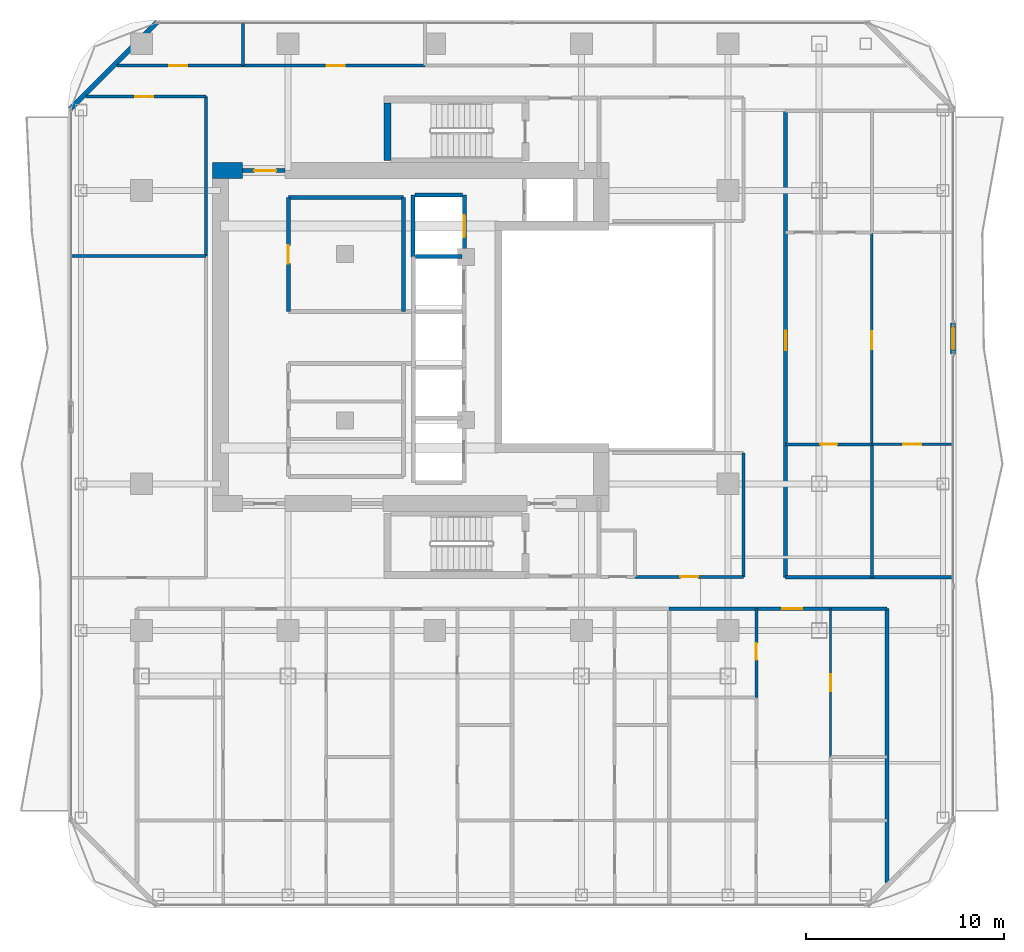
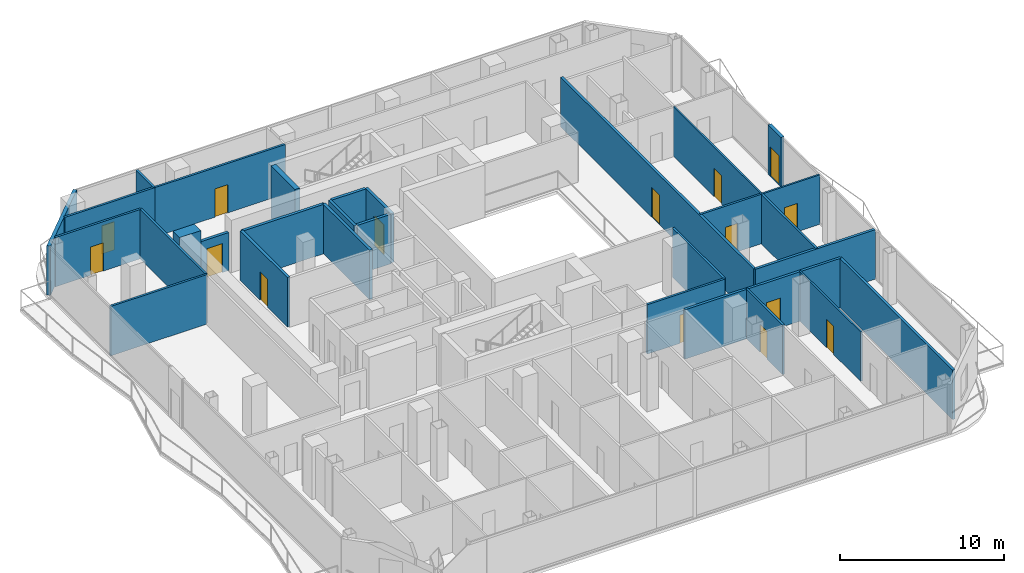
# One storey, part 22 of 26: 30 walls, 15 doors, 15 openings.
"""IFC4 building model written with IfcOpenShell, lengths in metres."""

from ifc_helpers import new_model, si_unit, direction, frame, frame_2d, origin, place, context, subcontext, project, spatial, rectangle, extrude, material, layer, layer_set, type_object, element, fill, save


model = new_model("IFC4")

# Units and contexts
model_context = context("Model", 3, precision=1e-05, world=origin(), true_north=direction((0.0, 1.0)))
body_context = subcontext(model_context, "Body", "Model", "MODEL_VIEW")
ifc_project = project(units=[si_unit("LENGTHUNIT", "METRE"), si_unit("AREAUNIT", "SQUARE_METRE"), si_unit("VOLUMEUNIT", "CUBIC_METRE"), si_unit("PLANEANGLEUNIT", "RADIAN"), si_unit("MASSUNIT", "GRAM", prefix="KILO")], contexts=[model_context])

# Site, building, storey
site_placement = place(None, origin())
site = spatial("IfcSite", under=ifc_project, at=site_placement, CompositionType="ELEMENT")
building_placement = place(site_placement, origin())
building = spatial("IfcBuilding", under=site, at=building_placement, Name="Khorvyn Point Tower", CompositionType="ELEMENT")
storey_placement = place(building_placement, frame((0.0, 0.0, 223.5)))
storey = spatial("IfcBuildingStorey", under=building, at=storey_placement, Name="L55", CompositionType="ELEMENT", Elevation=223.5)

# Wall, opening, door
ifc_material_1 = material(Name="Double acoustic gypsum on twin steel stud", Category="steel")
ifc_layer_1 = layer(ifc_material_1, 0.179931640625)
ifc_layer_set_1 = layer_set([ifc_layer_1], Name="Acoustic Double-Stud Apartment Demising Wall 180")
wall_type_1 = type_object("IfcWallType", Name="Acoustic Double-Stud Apartment Demising Wall 180", PredefinedType="PARTITIONING", material=ifc_layer_set_1)
wall_1_placement = place(storey_placement, frame((11.826904296875, -13.699951171875, 0.0), z_axis=(0.0, 0.0, 1.0), x_axis=(1.0, 0.0, 0.0)))
wall_1 = element("IfcWall", 1, at=wall_1_placement, inside=storey, type_object=wall_type_1, Name="Wall", PredefinedType="PARTITIONING", context=body_context, shape_type="SweptSolid", body=[
    extrude(rectangle(XDim=10.9931640625, YDim=0.179931640625, at=frame_2d((5.49658203125, 0.0))), origin(), (0.0, 0.0, 1.0), 3.679931640625),
])
opening_1_placement = place(wall_1_placement, frame((5.712890625, 0.0, 0.0)))
opening_1 = element("IfcOpeningElement", 2, at=opening_1_placement, cuts=wall_1, Name="Opening ID-AP60", PredefinedType="OPENING", context=body_context, shape_type="SweptSolid", body=[
    extrude(rectangle(XDim=1.0, YDim=2.199951171875, at=frame_2d((0.5, 1.10009765625))), frame((0.0, 0.099853515625, 0.0), z_axis=(0.0, -1.0, 0.0), x_axis=(1.0, 0.0, 0.0)), (0.0, 0.0, 1.0), 0.199951171875),
])
ifc_material_2 = material(Name="Engineered hardwood fire-rated leaf", Category="wood")
door_type_1 = type_object("IfcDoorType", Name="Acoustic Solid-Core Timber Apartment Entrance Door 1000x2200", OperationType="NOTDEFINED", PredefinedType="DOOR", material=ifc_material_2)
door_1_placement = place(opening_1_placement, origin())
door_1 = element("IfcDoor", 3, at=door_1_placement, inside=storey, type_object=door_type_1, Name="Door", OperationType="SINGLE_SWING_RIGHT", OverallHeight=2.199951171875, OverallWidth=1.0, PredefinedType="DOOR", context=body_context, shape_type="SweptSolid", body=[
    extrude(rectangle(XDim=1.0, YDim=2.199951171875, at=frame_2d((0.5, 1.10009765625))), frame((0.0, 0.02490234375, 0.0), z_axis=(0.0, -1.0, 0.0), x_axis=(1.0, 0.0, 0.0)), (0.0, 0.0, 1.0), 0.050048828125),
])
fill(opening_1, door_1)

wall_2_placement = place(storey_placement, frame((17.699951171875, -12.1201171875, 0.0), z_axis=(0.0, 0.0, 1.0), x_axis=(0.0, 1.0, 0.0)))
wall_2 = element("IfcWall", 4, at=wall_2_placement, inside=storey, type_object=wall_type_1, Name="Wall", PredefinedType="PARTITIONING", context=body_context, shape_type="SweptSolid", body=[
    extrude(rectangle(XDim=23.550048828125, YDim=0.179931640625, at=frame_2d((11.77490234375, 0.0))), origin(), (0.0, 0.0, 1.0), 3.679931640625),
])
opening_2_placement = place(wall_2_placement, frame((11.454345703125, 0.0, 0.0)))
opening_2 = element("IfcOpeningElement", 5, at=opening_2_placement, cuts=wall_2, Name="Opening ID-AP60", PredefinedType="OPENING", context=body_context, shape_type="SweptSolid", body=[
    extrude(rectangle(XDim=1.0, YDim=2.199951171875, at=frame_2d((0.5, 1.10009765625))), frame((0.0, 0.099853515625, 0.0), z_axis=(0.0, -1.0, 0.0), x_axis=(1.0, 0.0, 0.0)), (0.0, 0.0, 1.0), 0.199951171875),
])
door_2_placement = place(opening_2_placement, origin())
door_2 = element("IfcDoor", 6, at=door_2_placement, inside=storey, type_object=door_type_1, Name="Door", OperationType="SINGLE_SWING_LEFT", OverallHeight=2.199951171875, OverallWidth=1.0, PredefinedType="DOOR", context=body_context, shape_type="SweptSolid", body=[
    extrude(rectangle(XDim=1.0, YDim=2.199951171875, at=frame_2d((0.5, 1.10009765625))), frame((0.0, 0.02490234375, 0.0), z_axis=(0.0, -1.0, 0.0), x_axis=(1.0, 0.0, 0.0)), (0.0, 0.0, 1.0), 0.050048828125),
])
fill(opening_2, door_2)

# Walls
wall_3_placement = place(storey_placement, frame((22.820068359375, -27.510009765625, 0.0), z_axis=(0.0, 0.0, 1.0), x_axis=(0.0, 1.0, 0.0)))
element("IfcWall", 7, at=wall_3_placement, inside=storey, type_object=wall_type_1, Name="Wall", PredefinedType="PARTITIONING", context=body_context, shape_type="SweptSolid", body=[
    extrude(rectangle(XDim=13.81005859375, YDim=0.179931640625, at=frame_2d((6.905029296875, 0.0))), origin(), (0.0, 0.0, 1.0), 3.679931640625),
])
wall_4_placement = place(storey_placement, frame((17.699951171875, -12.1201171875, 0.0), z_axis=(0.0, 0.0, 1.0), x_axis=(1.0, 0.0, 0.0)))
element("IfcWall", 8, at=wall_4_placement, inside=storey, type_object=wall_type_1, Name="Wall", PredefinedType="PARTITIONING", context=body_context, shape_type="SweptSolid", body=[
    extrude(rectangle(XDim=8.429931640625, YDim=0.179931640625, at=frame_2d((4.21484375, 0.0))), origin(), (0.0, 0.0, 1.0), 3.679931640625),
])

# Wall, opening, door
ifc_material_3 = material(Name="Pale anodised aluminium rainscreen on steel stud", Category="steel")
ifc_layer_2 = layer(ifc_material_3, 0.239990234375)
ifc_layer_set_2 = layer_set([ifc_layer_2], Name="Anodised Aluminium Insulated Corner Spandrel Wall 240")
wall_type_2 = type_object("IfcWallType", Name="Anodised Aluminium Insulated Corner Spandrel Wall 240", PredefinedType="SOLIDWALL", material=ifc_layer_set_2)
wall_5_placement = place(storey_placement, frame((26.14990234375, 0.72509765625, 0.0), z_axis=(0.0, 0.0, 1.0), x_axis=(0.0, -1.0, 0.0)))
wall_5 = element("IfcWall", 9, at=wall_5_placement, inside=storey, type_object=wall_type_2, Name="L55 East Outdoor Threshold Wall", PredefinedType="SOLIDWALL", context=body_context, shape_type="SweptSolid", body=[
    extrude(rectangle(XDim=1.580078125, YDim=0.239990234375, at=frame_2d((0.7900390625, 0.0))), origin(), (0.0, 0.0, 1.0), 3.679931640625),
])
opening_3_placement = place(wall_5_placement, frame((0.239990234375, 0.0, 0.0)))
opening_3 = element("IfcOpeningElement", 10, at=opening_3_placement, cuts=wall_5, Name="Opening BD-1122", PredefinedType="OPENING", context=body_context, shape_type="SweptSolid", body=[
    extrude(rectangle(XDim=1.10009765625, YDim=2.199951171875, at=frame_2d((0.550048828125, 1.10009765625))), frame((0.0, 0.1298828125, 0.0), z_axis=(0.0, -1.0, 0.0), x_axis=(1.0, 0.0, 0.0)), (0.0, 0.0, 1.0), 0.260009765625),
])
ifc_material_4 = material(Name="Anodised aluminium 6063-T6 and laminated Low-E glass", Category="aluminium")
door_type_2 = type_object("IfcDoorType", Name="Glazed Balcony and Terrace Threshold Door 1100x2200", OperationType="NOTDEFINED", PredefinedType="DOOR", material=ifc_material_4)
door_3_placement = place(opening_3_placement, origin())
door_3 = element("IfcDoor", 11, at=door_3_placement, inside=storey, type_object=door_type_2, Name="L55 East Glazed Balcony Outdoor Door", OperationType="SINGLE_SWING_LEFT", OverallHeight=2.199951171875, OverallWidth=1.10009765625, PredefinedType="DOOR", context=body_context, shape_type="SweptSolid", body=[
    extrude(rectangle(XDim=1.10009765625, YDim=2.199951171875, at=frame_2d((0.550048828125, 1.10009765625))), frame((0.0, 0.02490234375, 0.0), z_axis=(0.0, -1.0, 0.0), x_axis=(1.0, 0.0, 0.0)), (0.0, 0.0, 1.0), 0.050048828125),
])
fill(opening_3, door_3)

# Wall
wall_6_placement = place(storey_placement, frame((-18.392333984375, 11.507568359375, 0.0), z_axis=(0.0, 0.0, 1.0), x_axis=(0.707106781187, 0.707106781187, 0.0)))
element("IfcWall", 12, at=wall_6_placement, inside=storey, type_object=wall_type_2, Name="L55 Rounded Corner Wall NW", PredefinedType="SOLIDWALL", context=body_context, shape_type="SweptSolid", body=[
    extrude(rectangle(XDim=6.200927734375, YDim=0.239990234375, at=frame_2d((3.1005859375, 0.0))), origin(), (0.0, 0.0, 1.0), 3.679931640625),
])

# Wall, opening, door
ifc_material_5 = material(Name="Concrete C40/50", Category="concrete")
ifc_layer_3 = layer(ifc_material_5, 0.199951171875)
ifc_layer_set_3 = layer_set([ifc_layer_3], Name="Concrete C40/50 Fire-Lobby Compartment Wall 200")
wall_type_3 = type_object("IfcWallType", Name="Concrete C40/50 Fire-Lobby Compartment Wall 200", PredefinedType="SOLIDWALL", material=ifc_layer_set_3)
wall_7_placement = place(storey_placement, frame((-9.699951171875, 8.39990234375, 0.0), z_axis=(0.0, 0.0, 1.0), x_axis=(1.0, 0.0, 0.0)))
wall_7 = element("IfcWall", 13, at=wall_7_placement, inside=storey, type_object=wall_type_3, Name="Wall", PredefinedType="SOLIDWALL", context=body_context, shape_type="SweptSolid", body=[
    extrude(rectangle(XDim=2.14990234375, YDim=0.199951171875, at=frame_2d((1.074951171875, 0.0))), origin(), (0.0, 0.0, 1.0), 2.820068359375),
])
opening_4_placement = place(wall_7_placement, frame((0.597900390625, 0.0, 0.0)))
opening_4 = element("IfcOpeningElement", 14, at=opening_4_placement, cuts=wall_7, Name="Opening ID-FL90", PredefinedType="OPENING", context=body_context, shape_type="SweptSolid", body=[
    extrude(rectangle(XDim=1.10009765625, YDim=2.14990234375, at=frame_2d((0.550048828125, 1.074951171875))), frame((0.0, 0.10986328125, 0.0), z_axis=(0.0, -1.0, 0.0), x_axis=(1.0, 0.0, 0.0)), (0.0, 0.0, 1.0), 0.219970703125),
])
ifc_material_6 = material(Name="Galvanised powder-coated steel", Category="steel")
door_type_3 = type_object("IfcDoorType", Name="Fire-Rated Steel Lobby and Stair Door 1100x2150", OperationType="NOTDEFINED", PredefinedType="DOOR", material=ifc_material_6)
door_4_placement = place(opening_4_placement, origin())
door_4 = element("IfcDoor", 15, at=door_4_placement, inside=storey, type_object=door_type_3, Name="Door", OperationType="SINGLE_SWING_LEFT", OverallHeight=2.14990234375, OverallWidth=1.10009765625, PredefinedType="DOOR", context=body_context, shape_type="SweptSolid", body=[
    extrude(rectangle(XDim=1.10009765625, YDim=2.14990234375, at=frame_2d((0.550048828125, 1.074951171875))), frame((0.0, 0.02490234375, 0.0), z_axis=(0.0, -1.0, 0.0), x_axis=(1.0, 0.0, 0.0)), (0.0, 0.0, 1.0), 0.050048828125),
])
fill(opening_4, door_4)

wall_8_placement = place(storey_placement, frame((-7.3798828125, 1.300048828125, 0.0), z_axis=(0.0, 0.0, 1.0), x_axis=(0.0, 1.0, 0.0)))
wall_8 = element("IfcWall", 16, at=wall_8_placement, inside=storey, type_object=wall_type_3, Name="Wall", PredefinedType="SOLIDWALL", context=body_context, shape_type="SweptSolid", body=[
    extrude(rectangle(XDim=5.739990234375, YDim=0.199951171875, at=frame_2d((2.8701171875, 0.0))), origin(), (0.0, 0.0, 1.0), 3.679931640625),
])
opening_5_placement = place(wall_8_placement, frame((2.409912109375, 0.0, 0.0)))
opening_5 = element("IfcOpeningElement", 17, at=opening_5_placement, cuts=wall_8, Name="Opening ID-RS60", PredefinedType="OPENING", context=body_context, shape_type="SweptSolid", body=[
    extrude(rectangle(XDim=0.919921875, YDim=2.10009765625, at=frame_2d((0.4599609375, 1.050048828125))), frame((0.0, 0.10986328125, 0.0), z_axis=(0.0, -1.0, 0.0), x_axis=(1.0, 0.0, 0.0)), (0.0, 0.0, 1.0), 0.219970703125),
])
door_type_4 = type_object("IfcDoorType", Name="Fire-Rated Riser and Store Steel Door 920x2100", OperationType="NOTDEFINED", PredefinedType="DOOR", material=ifc_material_6)
door_5_placement = place(opening_5_placement, origin())
door_5 = element("IfcDoor", 18, at=door_5_placement, inside=storey, type_object=door_type_4, Name="Door", OperationType="SINGLE_SWING_LEFT", OverallHeight=2.10009765625, OverallWidth=0.919921875, PredefinedType="DOOR", context=body_context, shape_type="SweptSolid", body=[
    extrude(rectangle(XDim=0.919921875, YDim=2.10009765625, at=frame_2d((0.4599609375, 1.050048828125))), frame((0.0, 0.02490234375, 0.0), z_axis=(0.0, -1.0, 0.0), x_axis=(1.0, 0.0, 0.0)), (0.0, 0.0, 1.0), 0.050048828125),
])
fill(opening_5, door_5)

# Walls
wall_9_placement = place(storey_placement, frame((-1.580078125, 1.300048828125, 0.0), z_axis=(0.0, 0.0, 1.0), x_axis=(0.0, 1.0, 0.0)))
element("IfcWall", 19, at=wall_9_placement, inside=storey, type_object=wall_type_3, Name="Wall", PredefinedType="SOLIDWALL", context=body_context, shape_type="SweptSolid", body=[
    extrude(rectangle(XDim=5.739990234375, YDim=0.199951171875, at=frame_2d((2.8701171875, 0.0))), origin(), (0.0, 0.0, 1.0), 3.679931640625),
])
wall_10_placement = place(storey_placement, frame((-7.3798828125, 7.0400390625, 0.0), z_axis=(0.0, 0.0, 1.0), x_axis=(1.0, 0.0, 0.0)))
element("IfcWall", 20, at=wall_10_placement, inside=storey, type_object=wall_type_3, Name="Wall", PredefinedType="SOLIDWALL", context=body_context, shape_type="SweptSolid", body=[
    extrude(rectangle(XDim=5.7998046875, YDim=0.199951171875, at=frame_2d((2.89990234375, 0.0))), origin(), (0.0, 0.0, 1.0), 3.679931640625),
])
ifc_layer_4 = layer(ifc_material_5, 0.35009765625)
ifc_layer_set_4 = layer_set([ifc_layer_4], Name="Concrete C40/50 Stair Shaft Structural Wall 350")
wall_type_4 = type_object("IfcWallType", Name="Concrete C40/50 Stair Shaft Structural Wall 350", PredefinedType="SHEAR", material=ifc_layer_set_4)
wall_11_placement = place(storey_placement, frame((-2.3798828125, 8.89990234375, 0.0), z_axis=(0.0, 0.0, 1.0), x_axis=(0.0, 1.0, 0.0)))
element("IfcWall", 21, at=wall_11_placement, inside=storey, type_object=wall_type_4, Name="L55 ST-02 West Shaft Wall", PredefinedType="SHEAR", context=body_context, shape_type="SweptSolid", body=[
    extrude(rectangle(XDim=2.925048828125, YDim=0.35009765625, at=frame_2d((1.46240234375, 0.0))), origin(), (0.0, 0.0, 1.0), 3.89990234375),
])
ifc_layer_5 = layer(ifc_material_5, 0.199951171875)
ifc_layer_set_5 = layer_set([ifc_layer_5], Name="Concrete C40/50 Structural Hoistway and Stair Shaft Wall 200")
wall_type_5 = type_object("IfcWallType", Name="Concrete C40/50 Structural Hoistway and Stair Shaft Wall 200", PredefinedType="SHEAR", material=ifc_layer_set_5)
wall_12_placement = place(storey_placement, frame((-0.97509765625, 4.074951171875, 0.0), z_axis=(0.0, 0.0, 1.0), x_axis=(1.0, 0.0, 0.0)))
element("IfcWall", 22, at=wall_12_placement, inside=storey, type_object=wall_type_5, Name="Wall", PredefinedType="SHEAR", context=body_context, shape_type="SweptSolid", body=[
    extrude(rectangle(XDim=2.35009765625, YDim=0.199951171875, at=frame_2d((1.175048828125, 0.0))), origin(), (0.0, 0.0, 1.0), 3.679931640625),
])
wall_13_placement = place(storey_placement, frame((-1.10009765625, 4.02490234375, 0.0), z_axis=(0.0, 0.0, 1.0), x_axis=(0.0, 1.0, 0.0)))
element("IfcWall", 23, at=wall_13_placement, inside=storey, type_object=wall_type_5, Name="Wall", PredefinedType="SHEAR", context=body_context, shape_type="SweptSolid", body=[
    extrude(rectangle(XDim=3.150146484375, YDim=0.199951171875, at=frame_2d((1.5751953125, 0.0))), origin(), (0.0, 0.0, 1.0), 3.679931640625),
])

# Wall, opening, door
wall_14_placement = place(storey_placement, frame((1.5, 4.02490234375, 0.0), z_axis=(0.0, 0.0, 1.0), x_axis=(0.0, 1.0, 0.0)))
wall_14 = element("IfcWall", 24, at=wall_14_placement, inside=storey, type_object=wall_type_5, Name="Wall", PredefinedType="SHEAR", context=body_context, shape_type="SweptSolid", body=[
    extrude(rectangle(XDim=3.150146484375, YDim=0.199951171875, at=frame_2d((1.5751953125, 0.0))), origin(), (0.0, 0.0, 1.0), 3.679931640625),
])
opening_6_placement = place(wall_14_placement, frame((1.02490234375, 0.0, 0.0)))
opening_6 = element("IfcOpeningElement", 25, at=opening_6_placement, cuts=wall_14, Name="Opening LD-1122", PredefinedType="OPENING", context=body_context, shape_type="SweptSolid", body=[
    extrude(rectangle(XDim=1.10009765625, YDim=2.199951171875, at=frame_2d((0.550048828125, 1.10009765625))), frame((0.0, 0.10986328125, 0.0), z_axis=(0.0, -1.0, 0.0), x_axis=(1.0, 0.0, 0.0)), (0.0, 0.0, 1.0), 0.219970703125),
])
ifc_material_7 = material(Name="Stainless steel 1.4301", Category="steel")
door_type_5 = type_object("IfcDoorType", Name="Stainless Steel Automatic Sliding Lift Landing Door 1100x2200", OperationType="SLIDING_TO_LEFT", PredefinedType="DOOR", material=ifc_material_7)
door_6_placement = place(opening_6_placement, origin())
door_6 = element("IfcDoor", 26, at=door_6_placement, inside=storey, type_object=door_type_5, Name="L55 SV-01 Sliding Lift Landing Door", OperationType="SLIDING_TO_LEFT", OverallHeight=2.199951171875, OverallWidth=1.10009765625, PredefinedType="DOOR", context=body_context, shape_type="SweptSolid", body=[
    extrude(rectangle(XDim=1.10009765625, YDim=2.199951171875, at=frame_2d((0.550048828125, 1.10009765625))), frame((0.0, 0.02490234375, 0.0), z_axis=(0.0, -1.0, 0.0), x_axis=(1.0, 0.0, 0.0)), (0.0, 0.0, 1.0), 0.050048828125),
])
fill(opening_6, door_6)

# Walls
wall_15_placement = place(storey_placement, frame((-1.0, 7.175048828125, 0.0), z_axis=(0.0, 0.0, 1.0), x_axis=(1.0, 0.0, 0.0)))
element("IfcWall", 27, at=wall_15_placement, inside=storey, type_object=wall_type_5, Name="Wall", PredefinedType="SHEAR", context=body_context, shape_type="SweptSolid", body=[
    extrude(rectangle(XDim=2.39990234375, YDim=0.199951171875, at=frame_2d((1.199951171875, 0.0))), origin(), (0.0, 0.0, 1.0), 3.679931640625),
])
ifc_material_8 = material(Name="Concrete C45/55", Category="concrete")
ifc_layer_6 = layer(ifc_material_8, 0.800048828125)
ifc_layer_set_6 = layer_set([ifc_layer_6], Name="Concrete C45/55 Core Shear Wall 800")
wall_type_6 = type_object("IfcWallType", Name="Concrete C45/55 Core Shear Wall 800", PredefinedType="SHEAR", material=ifc_layer_set_6)
wall_16_placement = place(storey_placement, frame((-11.199951171875, 8.39990234375, 0.0), z_axis=(0.0, 0.0, 1.0), x_axis=(1.0, 0.0, 0.0)))
element("IfcWall", 28, at=wall_16_placement, inside=storey, type_object=wall_type_6, Name="Wall", PredefinedType="SHEAR", context=body_context, shape_type="SweptSolid", body=[
    extrude(rectangle(XDim=1.5, YDim=0.800048828125, at=frame_2d((0.75, 0.0))), origin(), (0.0, 0.0, 1.0), 3.89990234375),
])

# Wall, opening, door
ifc_material_9 = material(Name="Gypsum plasterboard on steel stud", Category="steel")
ifc_layer_7 = layer(ifc_material_9, 0.1201171875)
ifc_layer_set_7 = layer_set([ifc_layer_7], Name="Gypsum Acoustic Stud Room Partition Wall 120")
wall_type_7 = type_object("IfcWallType", Name="Gypsum Acoustic Stud Room Partition Wall 120", PredefinedType="PARTITIONING", material=ifc_layer_set_7)
wall_17_placement = place(storey_placement, frame((19.969970703125, -21.18310546875, 0.0), z_axis=(0.0, 0.0, 1.0), x_axis=(0.0, 1.0, 0.0)))
wall_17 = element("IfcWall", 29, at=wall_17_placement, inside=storey, type_object=wall_type_7, Name="Wall", PredefinedType="PARTITIONING", context=body_context, shape_type="SweptSolid", body=[
    extrude(rectangle(XDim=7.483154296875, YDim=0.1201171875, at=frame_2d((3.74169921875, 0.0))), origin(), (0.0, 0.0, 1.0), 3.679931640625),
])
opening_7_placement = place(wall_17_placement, frame((3.31640625, 0.0, 0.0)))
opening_7 = element("IfcOpeningElement", 30, at=opening_7_placement, cuts=wall_17, Name="Opening ID-WC85", PredefinedType="OPENING", context=body_context, shape_type="SweptSolid", body=[
    extrude(rectangle(XDim=0.85009765625, YDim=2.10009765625, at=frame_2d((0.425048828125, 1.050048828125))), frame((0.0, 0.070068359375, 0.0), z_axis=(0.0, -1.0, 0.0), x_axis=(1.0, 0.0, 0.0)), (0.0, 0.0, 1.0), 0.14013671875),
])
ifc_material_10 = material(Name="High-pressure laminate on moisture-resistant core", Category="wood")
door_type_6 = type_object("IfcDoorType", Name="Moisture-Resistant Accessible Washroom Door 850x2100", OperationType="NOTDEFINED", PredefinedType="DOOR", material=ifc_material_10)
door_7_placement = place(opening_7_placement, origin())
door_7 = element("IfcDoor", 31, at=door_7_placement, inside=storey, type_object=door_type_6, Name="Door", OperationType="SINGLE_SWING_LEFT", OverallHeight=2.10009765625, OverallWidth=0.85009765625, PredefinedType="DOOR", context=body_context, shape_type="SweptSolid", body=[
    extrude(rectangle(XDim=0.85009765625, YDim=2.10009765625, at=frame_2d((0.425048828125, 1.050048828125))), frame((0.0, 0.02490234375, 0.0), z_axis=(0.0, -1.0, 0.0), x_axis=(1.0, 0.0, 0.0)), (0.0, 0.0, 1.0), 0.050048828125),
])
fill(opening_7, door_7)

wall_18_placement = place(storey_placement, frame((22.054931640625, -5.412109375, 0.0), z_axis=(0.0, 0.0, 1.0), x_axis=(0.0, 1.0, 0.0)))
wall_18 = element("IfcWall", 32, at=wall_18_placement, inside=storey, type_object=wall_type_7, Name="Wall", PredefinedType="PARTITIONING", context=body_context, shape_type="SweptSolid", body=[
    extrude(rectangle(XDim=10.694091796875, YDim=0.1201171875, at=frame_2d((5.34716796875, 0.0))), origin(), (0.0, 0.0, 1.0), 3.679931640625),
])
opening_8_placement = place(wall_18_placement, frame((4.8076171875, 0.0, 0.0)))
opening_8 = element("IfcOpeningElement", 33, at=opening_8_placement, cuts=wall_18, Name="Opening ID-RM90", PredefinedType="OPENING", context=body_context, shape_type="SweptSolid", body=[
    extrude(rectangle(XDim=0.89990234375, YDim=2.10009765625, at=frame_2d((0.449951171875, 1.050048828125))), frame((0.0, 0.070068359375, 0.0), z_axis=(0.0, -1.0, 0.0), x_axis=(1.0, 0.0, 0.0)), (0.0, 0.0, 1.0), 0.14013671875),
])
ifc_material_11 = material(Name="Engineered oak veneer timber", Category="wood")
door_type_7 = type_object("IfcDoorType", Name="Flush Engineered Timber Room Door 900x2100", OperationType="NOTDEFINED", PredefinedType="DOOR", material=ifc_material_11)
door_8_placement = place(opening_8_placement, origin())
door_8 = element("IfcDoor", 34, at=door_8_placement, inside=storey, type_object=door_type_7, Name="Door", OperationType="SINGLE_SWING_RIGHT", OverallHeight=2.10009765625, OverallWidth=0.89990234375, PredefinedType="DOOR", context=body_context, shape_type="SweptSolid", body=[
    extrude(rectangle(XDim=0.89990234375, YDim=2.10009765625, at=frame_2d((0.449951171875, 1.050048828125))), frame((0.0, 0.02490234375, 0.0), z_axis=(0.0, -1.0, 0.0), x_axis=(1.0, 0.0, 0.0)), (0.0, 0.0, 1.0), 0.050048828125),
])
fill(opening_8, door_8)

wall_19_placement = place(storey_placement, frame((22.054931640625, -5.412109375, 0.0), z_axis=(0.0, 0.0, 1.0), x_axis=(1.0, 0.0, 0.0)))
wall_19 = element("IfcWall", 35, at=wall_19_placement, inside=storey, type_object=wall_type_7, Name="Wall", PredefinedType="PARTITIONING", context=body_context, shape_type="SweptSolid", body=[
    extrude(rectangle(XDim=4.074951171875, YDim=0.1201171875, at=frame_2d((2.03759765625, 0.0))), origin(), (0.0, 0.0, 1.0), 3.679931640625),
])
opening_9_placement = place(wall_19_placement, frame((1.58740234375, 0.0, 0.0)))
opening_9 = element("IfcOpeningElement", 36, at=opening_9_placement, cuts=wall_19, Name="Opening ID-RM90", PredefinedType="OPENING", context=body_context, shape_type="SweptSolid", body=[
    extrude(rectangle(XDim=0.89990234375, YDim=2.10009765625, at=frame_2d((0.449951171875, 1.050048828125))), frame((0.0, 0.070068359375, 0.0), z_axis=(0.0, -1.0, 0.0), x_axis=(1.0, 0.0, 0.0)), (0.0, 0.0, 1.0), 0.14013671875),
])
door_9_placement = place(opening_9_placement, origin())
door_9 = element("IfcDoor", 37, at=door_9_placement, inside=storey, type_object=door_type_7, Name="Door", OperationType="SINGLE_SWING_RIGHT", OverallHeight=2.10009765625, OverallWidth=0.89990234375, PredefinedType="DOOR", context=body_context, shape_type="SweptSolid", body=[
    extrude(rectangle(XDim=0.89990234375, YDim=2.10009765625, at=frame_2d((0.449951171875, 1.050048828125))), frame((0.0, 0.02490234375, 0.0), z_axis=(0.0, -1.0, 0.0), x_axis=(1.0, 0.0, 0.0)), (0.0, 0.0, 1.0), 0.050048828125),
])
fill(opening_9, door_9)

ifc_material_12 = material(Name="Moisture-resistant gypsum and cement board", Category="gypsum")
ifc_layer_8 = layer(ifc_material_12, 0.14990234375)
ifc_layer_set_8 = layer_set([ifc_layer_8], Name="Moisture-Resistant Wet-Room Partition Wall 150")
wall_type_8 = type_object("IfcWallType", Name="Moisture-Resistant Wet-Room Partition Wall 150", PredefinedType="PARTITIONING", material=ifc_layer_set_8)
wall_20_placement = place(storey_placement, frame((10.10009765625, -12.10009765625, 0.0), z_axis=(0.0, 0.0, 1.0), x_axis=(1.0, 0.0, 0.0)))
wall_20 = element("IfcWall", 38, at=wall_20_placement, inside=storey, type_object=wall_type_8, Name="Wall", PredefinedType="PARTITIONING", context=body_context, shape_type="SweptSolid", body=[
    extrude(rectangle(XDim=5.47998046875, YDim=0.14990234375, at=frame_2d((2.739990234375, 0.0))), origin(), (0.0, 0.0, 1.0), 3.679931640625),
])
opening_10_placement = place(wall_20_placement, frame((2.2900390625, 0.0, 0.0)))
opening_10 = element("IfcOpeningElement", 39, at=opening_10_placement, cuts=wall_20, Name="Opening ID-RM90", PredefinedType="OPENING", context=body_context, shape_type="SweptSolid", body=[
    extrude(rectangle(XDim=0.89990234375, YDim=2.10009765625, at=frame_2d((0.449951171875, 1.050048828125))), frame((0.0, 0.0849609375, 0.0), z_axis=(0.0, -1.0, 0.0), x_axis=(1.0, 0.0, 0.0)), (0.0, 0.0, 1.0), 0.169921875),
])
door_10_placement = place(opening_10_placement, origin())
door_10 = element("IfcDoor", 40, at=door_10_placement, inside=storey, type_object=door_type_7, Name="Door", OperationType="SINGLE_SWING_LEFT", OverallHeight=2.10009765625, OverallWidth=0.89990234375, PredefinedType="DOOR", context=body_context, shape_type="SweptSolid", body=[
    extrude(rectangle(XDim=0.89990234375, YDim=2.10009765625, at=frame_2d((0.449951171875, 1.050048828125))), frame((0.0, 0.02490234375, 0.0), z_axis=(0.0, -1.0, 0.0), x_axis=(1.0, 0.0, 0.0)), (0.0, 0.0, 1.0), 0.050048828125),
])
fill(opening_10, door_10)

wall_21_placement = place(storey_placement, frame((-16.030029296875, 13.699951171875, 0.0), z_axis=(0.0, 0.0, 1.0), x_axis=(1.0, 0.0, 0.0)))
wall_21 = element("IfcWall", 41, at=wall_21_placement, inside=storey, type_object=wall_type_8, Name="Wall", PredefinedType="PARTITIONING", context=body_context, shape_type="SweptSolid", body=[
    extrude(rectangle(XDim=6.35009765625, YDim=0.14990234375, at=frame_2d((3.175048828125, 0.0))), origin(), (0.0, 0.0, 1.0), 3.679931640625),
])
opening_11_placement = place(wall_21_placement, frame((2.63671875, 0.0, 0.0)))
opening_11 = element("IfcOpeningElement", 42, at=opening_11_placement, cuts=wall_21, Name="Opening ID-RM90", PredefinedType="OPENING", context=body_context, shape_type="SweptSolid", body=[
    extrude(rectangle(XDim=0.89990234375, YDim=2.10009765625, at=frame_2d((0.449951171875, 1.050048828125))), frame((0.0, 0.0849609375, 0.0), z_axis=(0.0, -1.0, 0.0), x_axis=(1.0, 0.0, 0.0)), (0.0, 0.0, 1.0), 0.169921875),
])
door_11_placement = place(opening_11_placement, origin())
door_11 = element("IfcDoor", 43, at=door_11_placement, inside=storey, type_object=door_type_7, Name="Door", OperationType="SINGLE_SWING_LEFT", OverallHeight=2.10009765625, OverallWidth=0.89990234375, PredefinedType="DOOR", context=body_context, shape_type="SweptSolid", body=[
    extrude(rectangle(XDim=0.89990234375, YDim=2.10009765625, at=frame_2d((0.449951171875, 1.050048828125))), frame((0.0, 0.02490234375, 0.0), z_axis=(0.0, -1.0, 0.0), x_axis=(1.0, 0.0, 0.0)), (0.0, 0.0, 1.0), 0.050048828125),
])
fill(opening_11, door_11)

wall_22_placement = place(storey_placement, frame((-9.679931640625, 13.699951171875, 0.0), z_axis=(0.0, 0.0, 1.0), x_axis=(1.0, 0.0, 0.0)))
wall_22 = element("IfcWall", 44, at=wall_22_placement, inside=storey, type_object=wall_type_8, Name="Wall", PredefinedType="PARTITIONING", context=body_context, shape_type="SweptSolid", body=[
    extrude(rectangle(XDim=9.18603515625, YDim=0.14990234375, at=frame_2d((4.593017578125, 0.0))), origin(), (0.0, 0.0, 1.0), 3.679931640625),
])
opening_12_placement = place(wall_22_placement, frame((4.2314453125, 0.0, 0.0)))
opening_12 = element("IfcOpeningElement", 45, at=opening_12_placement, cuts=wall_22, Name="Opening ID-RM90", PredefinedType="OPENING", context=body_context, shape_type="SweptSolid", body=[
    extrude(rectangle(XDim=0.89990234375, YDim=2.10009765625, at=frame_2d((0.449951171875, 1.050048828125))), frame((0.0, 0.0849609375, 0.0), z_axis=(0.0, -1.0, 0.0), x_axis=(1.0, 0.0, 0.0)), (0.0, 0.0, 1.0), 0.169921875),
])
door_12_placement = place(opening_12_placement, origin())
door_12 = element("IfcDoor", 46, at=door_12_placement, inside=storey, type_object=door_type_7, Name="Door", OperationType="SINGLE_SWING_RIGHT", OverallHeight=2.10009765625, OverallWidth=0.89990234375, PredefinedType="DOOR", context=body_context, shape_type="SweptSolid", body=[
    extrude(rectangle(XDim=0.89990234375, YDim=2.10009765625, at=frame_2d((0.449951171875, 1.050048828125))), frame((0.0, 0.02490234375, 0.0), z_axis=(0.0, -1.0, 0.0), x_axis=(1.0, 0.0, 0.0)), (0.0, 0.0, 1.0), 0.050048828125),
])
fill(opening_12, door_12)

wall_23_placement = place(storey_placement, frame((16.22412109375, -18.18994140625, 0.0), z_axis=(0.0, 0.0, 1.0), x_axis=(0.0, 1.0, 0.0)))
wall_23 = element("IfcWall", 47, at=wall_23_placement, inside=storey, type_object=wall_type_8, Name="Wall", PredefinedType="PARTITIONING", context=body_context, shape_type="SweptSolid", body=[
    extrude(rectangle(XDim=4.489990234375, YDim=0.14990234375, at=frame_2d((2.2451171875, 0.0))), origin(), (0.0, 0.0, 1.0), 3.679931640625),
])
opening_13_placement = place(wall_23_placement, frame((1.907470703125, 0.0, 0.0)))
opening_13 = element("IfcOpeningElement", 48, at=opening_13_placement, cuts=wall_23, Name="Opening ID-WC85", PredefinedType="OPENING", context=body_context, shape_type="SweptSolid", body=[
    extrude(rectangle(XDim=0.85009765625, YDim=2.10009765625, at=frame_2d((0.425048828125, 1.050048828125))), frame((0.0, 0.0849609375, 0.0), z_axis=(0.0, -1.0, 0.0), x_axis=(1.0, 0.0, 0.0)), (0.0, 0.0, 1.0), 0.169921875),
])
door_13_placement = place(opening_13_placement, origin())
door_13 = element("IfcDoor", 49, at=door_13_placement, inside=storey, type_object=door_type_6, Name="Door", OperationType="SINGLE_SWING_RIGHT", OverallHeight=2.10009765625, OverallWidth=0.85009765625, PredefinedType="DOOR", context=body_context, shape_type="SweptSolid", body=[
    extrude(rectangle(XDim=0.85009765625, YDim=2.10009765625, at=frame_2d((0.425048828125, 1.050048828125))), frame((0.0, 0.02490234375, 0.0), z_axis=(0.0, -1.0, 0.0), x_axis=(1.0, 0.0, 0.0)), (0.0, 0.0, 1.0), 0.050048828125),
])
fill(opening_13, door_13)

wall_24_placement = place(storey_placement, frame((-17.590087890625, 12.139892578125, 0.0), z_axis=(0.0, 0.0, 1.0), x_axis=(1.0, 0.0, 0.0)))
wall_24 = element("IfcWall", 50, at=wall_24_placement, inside=storey, type_object=wall_type_8, Name="Wall", PredefinedType="PARTITIONING", context=body_context, shape_type="SweptSolid", body=[
    extrude(rectangle(XDim=6.0400390625, YDim=0.14990234375, at=frame_2d((3.02001953125, 0.0))), origin(), (0.0, 0.0, 1.0), 3.679931640625),
])
opening_14_placement = place(wall_24_placement, frame((2.480712890625, 0.0, 0.0)))
opening_14 = element("IfcOpeningElement", 51, at=opening_14_placement, cuts=wall_24, Name="Opening ID-RM90", PredefinedType="OPENING", context=body_context, shape_type="SweptSolid", body=[
    extrude(rectangle(XDim=0.89990234375, YDim=2.10009765625, at=frame_2d((0.449951171875, 1.050048828125))), frame((0.0, 0.0849609375, 0.0), z_axis=(0.0, -1.0, 0.0), x_axis=(1.0, 0.0, 0.0)), (0.0, 0.0, 1.0), 0.169921875),
])
door_14_placement = place(opening_14_placement, origin())
door_14 = element("IfcDoor", 52, at=door_14_placement, inside=storey, type_object=door_type_7, Name="Door", OperationType="SINGLE_SWING_RIGHT", OverallHeight=2.10009765625, OverallWidth=0.89990234375, PredefinedType="DOOR", context=body_context, shape_type="SweptSolid", body=[
    extrude(rectangle(XDim=0.89990234375, YDim=2.10009765625, at=frame_2d((0.449951171875, 1.050048828125))), frame((0.0, 0.02490234375, 0.0), z_axis=(0.0, -1.0, 0.0), x_axis=(1.0, 0.0, 0.0)), (0.0, 0.0, 1.0), 0.050048828125),
])
fill(opening_14, door_14)

wall_25_placement = place(storey_placement, frame((17.699951171875, -5.412109375, 0.0), z_axis=(0.0, 0.0, 1.0), x_axis=(1.0, 0.0, 0.0)))
wall_25 = element("IfcWall", 53, at=wall_25_placement, inside=storey, type_object=wall_type_8, Name="Wall", PredefinedType="PARTITIONING", context=body_context, shape_type="SweptSolid", body=[
    extrude(rectangle(XDim=4.35498046875, YDim=0.14990234375, at=frame_2d((2.177490234375, 0.0))), origin(), (0.0, 0.0, 1.0), 3.679931640625),
])
opening_15_placement = place(wall_25_placement, frame((1.75244140625, 0.0, 0.0)))
opening_15 = element("IfcOpeningElement", 54, at=opening_15_placement, cuts=wall_25, Name="Opening ID-WC85", PredefinedType="OPENING", context=body_context, shape_type="SweptSolid", body=[
    extrude(rectangle(XDim=0.85009765625, YDim=2.10009765625, at=frame_2d((0.425048828125, 1.050048828125))), frame((0.0, 0.0849609375, 0.0), z_axis=(0.0, -1.0, 0.0), x_axis=(1.0, 0.0, 0.0)), (0.0, 0.0, 1.0), 0.169921875),
])
door_15_placement = place(opening_15_placement, origin())
door_15 = element("IfcDoor", 55, at=door_15_placement, inside=storey, type_object=door_type_6, Name="Door", OperationType="SINGLE_SWING_LEFT", OverallHeight=2.10009765625, OverallWidth=0.85009765625, PredefinedType="DOOR", context=body_context, shape_type="SweptSolid", body=[
    extrude(rectangle(XDim=0.85009765625, YDim=2.10009765625, at=frame_2d((0.425048828125, 1.050048828125))), frame((0.0, 0.02490234375, 0.0), z_axis=(0.0, -1.0, 0.0), x_axis=(1.0, 0.0, 0.0)), (0.0, 0.0, 1.0), 0.050048828125),
])
fill(opening_15, door_15)

# Walls
wall_26_placement = place(storey_placement, frame((15.580078125, -12.10009765625, 0.0), z_axis=(0.0, 0.0, 1.0), x_axis=(0.0, 1.0, 0.0)))
element("IfcWall", 56, at=wall_26_placement, inside=storey, type_object=wall_type_8, Name="Wall", PredefinedType="PARTITIONING", context=body_context, shape_type="SweptSolid", body=[
    extrude(rectangle(XDim=6.25, YDim=0.14990234375, at=frame_2d((3.125, 0.0))), origin(), (0.0, 0.0, 1.0), 3.679931640625),
])
wall_27_placement = place(storey_placement, frame((-9.679931640625, 13.699951171875, 0.0), z_axis=(0.0, 0.0, 1.0), x_axis=(0.0, 1.0, 0.0)))
element("IfcWall", 57, at=wall_27_placement, inside=storey, type_object=wall_type_8, Name="Wall", PredefinedType="PARTITIONING", context=body_context, shape_type="SweptSolid", body=[
    extrude(rectangle(XDim=2.130126953125, YDim=0.14990234375, at=frame_2d((1.06494140625, 0.0))), origin(), (0.0, 0.0, 1.0), 3.679931640625),
])
wall_28_placement = place(storey_placement, frame((-18.330078125, 4.10009765625, 0.0), z_axis=(0.0, 0.0, 1.0), x_axis=(1.0, 0.0, 0.0)))
element("IfcWall", 58, at=wall_28_placement, inside=storey, type_object=wall_type_8, Name="Wall", PredefinedType="PARTITIONING", context=body_context, shape_type="SweptSolid", body=[
    extrude(rectangle(XDim=6.780029296875, YDim=0.14990234375, at=frame_2d((3.39013671875, 0.0))), origin(), (0.0, 0.0, 1.0), 3.679931640625),
])
wall_29_placement = place(storey_placement, frame((-11.550048828125, 4.10009765625, 0.0), z_axis=(0.0, 0.0, 1.0), x_axis=(0.0, 1.0, 0.0)))
element("IfcWall", 59, at=wall_29_placement, inside=storey, type_object=wall_type_8, Name="Wall", PredefinedType="PARTITIONING", context=body_context, shape_type="SweptSolid", body=[
    extrude(rectangle(XDim=8.039794921875, YDim=0.14990234375, at=frame_2d((4.02001953125, 0.0))), origin(), (0.0, 0.0, 1.0), 3.679931640625),
])
wall_30_placement = place(storey_placement, frame((22.054931640625, -12.1201171875, 0.0), z_axis=(0.0, 0.0, 1.0), x_axis=(0.0, 1.0, 0.0)))
element("IfcWall", 60, at=wall_30_placement, inside=storey, type_object=wall_type_8, Name="Wall", PredefinedType="PARTITIONING", context=body_context, shape_type="SweptSolid", body=[
    extrude(rectangle(XDim=6.7080078125, YDim=0.14990234375, at=frame_2d((3.35400390625, 0.0))), origin(), (0.0, 0.0, 1.0), 3.679931640625),
])

save(model, "model.ifc")
